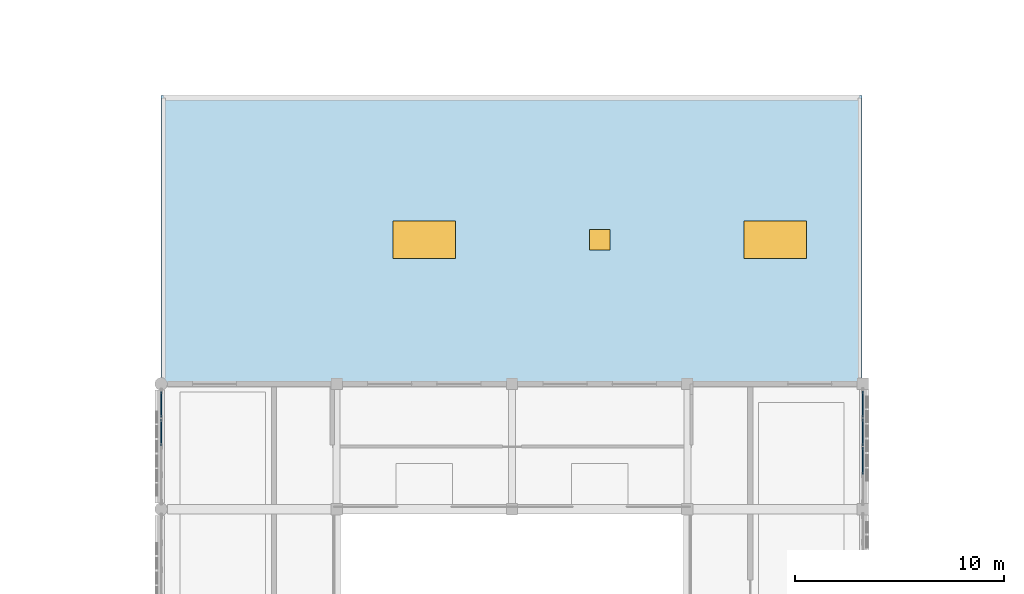
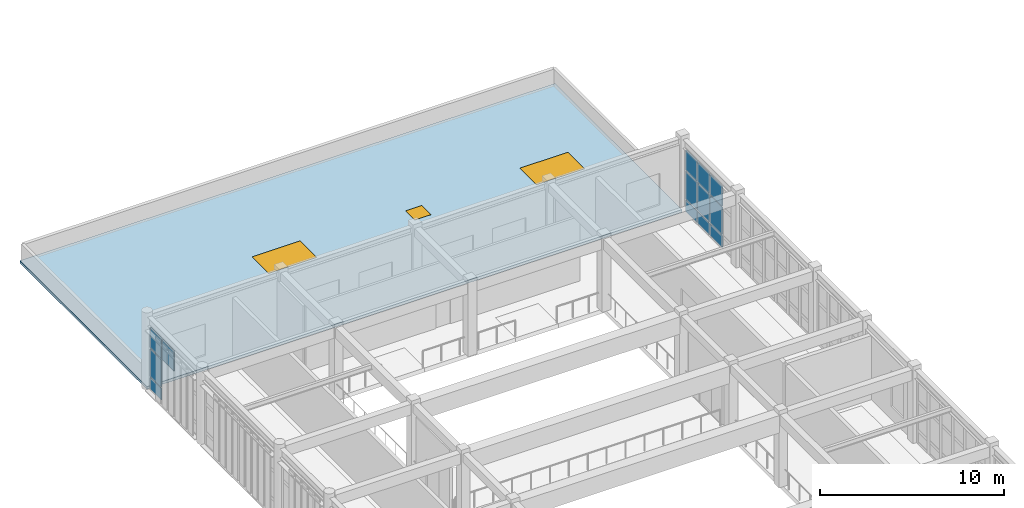
# One storey, part 49 of 77: 13 plates, 2 windows, 1 door, 1 slab, 3 openings, 2 elements without a shape of their own.
"""IFC4 building model written with IfcOpenShell, lengths in metres."""

from ifc_helpers import new_model, si_unit, direction, frame, origin, origin_2d, place, context, subcontext, project, spatial, polyline, rectangle, outline, extrude, material, layer, layer_set, type_object, element, fill, aggregate, save


model = new_model("IFC4")

# Units and contexts
model_context = context("Model", 3, precision=1e-05, world=origin(), true_north=direction((0.0, 1.0)))
body_context = subcontext(model_context, "Body", "Model", "MODEL_VIEW")
ifc_project = project(units=[si_unit("LENGTHUNIT", "METRE"), si_unit("AREAUNIT", "SQUARE_METRE"), si_unit("VOLUMEUNIT", "CUBIC_METRE"), si_unit("PLANEANGLEUNIT", "RADIAN"), si_unit("MASSUNIT", "GRAM", prefix="KILO")], contexts=[model_context])

# Site, building, storey
site_placement = place(None, origin())
site = spatial("IfcSite", under=ifc_project, at=site_placement, CompositionType="ELEMENT")
building_placement = place(site_placement, origin())
building = spatial("IfcBuilding", under=site, at=building_placement, Name="Krzemoval Escarpment Law Courts", CompositionType="ELEMENT")
storey_placement = place(building_placement, frame((0.0, 0.0, 15.300048828125)))
storey = spatial("IfcBuildingStorey", under=building, at=storey_placement, Name="L03", CompositionType="ELEMENT", Elevation=15.300048828125)

# Curtain wall, plates
ifc_material_1 = material(Name="Aluminium 6063-T6", Category="aluminium")
ifc_layer_1 = layer(ifc_material_1, 0.280029296875)
ifc_layer_set_1 = layer_set([ifc_layer_1], Name="Aluminium 6063-T6")
curtain_wall_type = type_object("IfcCurtainWallType", Name="CW-HALL-5100", PredefinedType="USERDEFINED", material=ifc_layer_set_1)
curtain_wall_1_placement = place(storey_placement, origin())
curtain_wall_1 = element("IfcCurtainWall", 1, at=curtain_wall_1_placement, inside=storey, type_object=curtain_wall_type, Name="Unitised Curtain Wall FCW-L03-104", ObjectType="UNITISED_CURTAIN_WALL", PredefinedType="USERDEFINED")
ifc_material_2 = material(Name="Triple Glazing IGU", Category="glass")
ifc_layer_2 = layer(ifc_material_2, 0.053955078125)
ifc_layer_set_2 = layer_set([ifc_layer_2], Name="Triple Glazing IGU")
plate_type = type_object("IfcPlateType", Name="CWP-GLZ-54", PredefinedType="CURTAIN_PANEL", material=ifc_layer_set_2)
plate_1_placement = place(storey_placement, frame((8.39990234375, 97.27490234375, 2.842529296875), z_axis=(0.0, 0.0, 1.0), x_axis=(0.0, 1.0, 0.0)))
plate_1 = element("IfcPlate", 2, at=plate_1_placement, type_object=plate_type, Name="FCW-L03-104 panel 3.3", PredefinedType="CURTAIN_PANEL", context=body_context, shape_type="SweptSolid", body=[
    extrude(rectangle(XDim=1.264892578125, YDim=0.053955078125, at=origin_2d()), origin(), (0.0, 0.0, 1.0), 1.3125),
])
plate_2_placement = place(storey_placement, frame((8.39990234375, 98.603759765625, 0.0849609375), z_axis=(0.0, 0.0, 1.0), x_axis=(0.0, 1.0, 0.0)))
plate_2 = element("IfcPlate", 3, at=plate_2_placement, type_object=plate_type, Name="FCW-L03-104 panel 4.1", PredefinedType="CURTAIN_PANEL", context=body_context, shape_type="SweptSolid", body=[
    extrude(rectangle(XDim=1.222412109375, YDim=0.053955078125, at=origin_2d()), origin(), (0.0, 0.0, 1.0), 0.7724609375),
])
plate_3_placement = place(storey_placement, frame((8.39990234375, 98.603759765625, 0.9423828125), z_axis=(0.0, 0.0, 1.0), x_axis=(0.0, 1.0, 0.0)))
plate_3 = element("IfcPlate", 4, at=plate_3_placement, type_object=plate_type, Name="FCW-L03-104 panel 4.2", PredefinedType="CURTAIN_PANEL", context=body_context, shape_type="SweptSolid", body=[
    extrude(rectangle(XDim=1.222412109375, YDim=0.053955078125, at=origin_2d()), origin(), (0.0, 0.0, 1.0), 1.81494140625),
])
plate_4_placement = place(storey_placement, frame((8.39990234375, 98.603759765625, 2.842529296875), z_axis=(0.0, 0.0, 1.0), x_axis=(0.0, 1.0, 0.0)))
plate_4 = element("IfcPlate", 5, at=plate_4_placement, type_object=plate_type, Name="FCW-L03-104 panel 4.3", PredefinedType="CURTAIN_PANEL", context=body_context, shape_type="SweptSolid", body=[
    extrude(rectangle(XDim=1.222412109375, YDim=0.053955078125, at=origin_2d()), origin(), (0.0, 0.0, 1.0), 1.3125),
])
aggregate(curtain_wall_1, [plate_1, plate_2, plate_3, plate_4])

curtain_wall_2_placement = place(storey_placement, origin())
curtain_wall_2 = element("IfcCurtainWall", 6, at=curtain_wall_2_placement, inside=storey, type_object=curtain_wall_type, Name="Unitised Curtain Wall FCW-L03-105", ObjectType="UNITISED_CURTAIN_WALL", PredefinedType="USERDEFINED")
plate_5_placement = place(storey_placement, frame((42.0, 98.62255859375, 0.0849609375), z_axis=(0.0, 0.0, 1.0), x_axis=(0.0, -1.0, 0.0)))
plate_5 = element("IfcPlate", 7, at=plate_5_placement, type_object=plate_type, Name="FCW-L03-105 panel 1.1", PredefinedType="CURTAIN_PANEL", context=body_context, shape_type="SweptSolid", body=[
    extrude(rectangle(XDim=1.235107421875, YDim=0.053955078125, at=origin_2d()), origin(), (0.0, 0.0, 1.0), 0.7724609375),
])
plate_6_placement = place(storey_placement, frame((42.0, 98.62255859375, 0.9423828125), z_axis=(0.0, 0.0, 1.0), x_axis=(0.0, -1.0, 0.0)))
plate_6 = element("IfcPlate", 8, at=plate_6_placement, type_object=plate_type, Name="FCW-L03-105 panel 1.2", PredefinedType="CURTAIN_PANEL", context=body_context, shape_type="SweptSolid", body=[
    extrude(rectangle(XDim=1.235107421875, YDim=0.053955078125, at=origin_2d()), origin(), (0.0, 0.0, 1.0), 1.81494140625),
])
plate_7_placement = place(storey_placement, frame((42.0, 98.62255859375, 2.842529296875), z_axis=(0.0, 0.0, 1.0), x_axis=(0.0, -1.0, 0.0)))
plate_7 = element("IfcPlate", 9, at=plate_7_placement, type_object=plate_type, Name="FCW-L03-105 panel 1.3", PredefinedType="CURTAIN_PANEL", context=body_context, shape_type="SweptSolid", body=[
    extrude(rectangle(XDim=1.235107421875, YDim=0.053955078125, at=origin_2d()), origin(), (0.0, 0.0, 1.0), 1.3125),
])
plate_8_placement = place(storey_placement, frame((42.0, 97.28125, 0.0849609375), z_axis=(0.0, 0.0, 1.0), x_axis=(0.0, -1.0, 0.0)))
plate_8 = element("IfcPlate", 10, at=plate_8_placement, type_object=plate_type, Name="FCW-L03-105 panel 2.1", PredefinedType="CURTAIN_PANEL", context=body_context, shape_type="SweptSolid", body=[
    extrude(rectangle(XDim=1.277587890625, YDim=0.053955078125, at=origin_2d()), origin(), (0.0, 0.0, 1.0), 0.7724609375),
])
plate_9_placement = place(storey_placement, frame((42.0, 97.28125, 0.9423828125), z_axis=(0.0, 0.0, 1.0), x_axis=(0.0, -1.0, 0.0)))
plate_9 = element("IfcPlate", 11, at=plate_9_placement, type_object=plate_type, Name="FCW-L03-105 panel 2.2", PredefinedType="CURTAIN_PANEL", context=body_context, shape_type="SweptSolid", body=[
    extrude(rectangle(XDim=1.277587890625, YDim=0.053955078125, at=origin_2d()), origin(), (0.0, 0.0, 1.0), 1.81494140625),
])
plate_10_placement = place(storey_placement, frame((42.0, 97.28125, 2.842529296875), z_axis=(0.0, 0.0, 1.0), x_axis=(0.0, -1.0, 0.0)))
plate_10 = element("IfcPlate", 12, at=plate_10_placement, type_object=plate_type, Name="FCW-L03-105 panel 2.3", PredefinedType="CURTAIN_PANEL", context=body_context, shape_type="SweptSolid", body=[
    extrude(rectangle(XDim=1.277587890625, YDim=0.053955078125, at=origin_2d()), origin(), (0.0, 0.0, 1.0), 1.3125),
])
plate_11_placement = place(storey_placement, frame((42.0, 95.918701171875, 0.0849609375), z_axis=(0.0, 0.0, 1.0), x_axis=(0.0, -1.0, 0.0)))
plate_11 = element("IfcPlate", 13, at=plate_11_placement, type_object=plate_type, Name="FCW-L03-105 panel 3.1", PredefinedType="CURTAIN_PANEL", context=body_context, shape_type="SweptSolid", body=[
    extrude(rectangle(XDim=1.277587890625, YDim=0.053955078125, at=origin_2d()), origin(), (0.0, 0.0, 1.0), 0.7724609375),
])
plate_12_placement = place(storey_placement, frame((42.0, 95.918701171875, 0.9423828125), z_axis=(0.0, 0.0, 1.0), x_axis=(0.0, -1.0, 0.0)))
plate_12 = element("IfcPlate", 14, at=plate_12_placement, type_object=plate_type, Name="FCW-L03-105 panel 3.2", PredefinedType="CURTAIN_PANEL", context=body_context, shape_type="SweptSolid", body=[
    extrude(rectangle(XDim=1.277587890625, YDim=0.053955078125, at=origin_2d()), origin(), (0.0, 0.0, 1.0), 1.81494140625),
])
plate_13_placement = place(storey_placement, frame((42.0, 95.918701171875, 2.842529296875), z_axis=(0.0, 0.0, 1.0), x_axis=(0.0, -1.0, 0.0)))
plate_13 = element("IfcPlate", 15, at=plate_13_placement, type_object=plate_type, Name="FCW-L03-105 panel 3.3", PredefinedType="CURTAIN_PANEL", context=body_context, shape_type="SweptSolid", body=[
    extrude(rectangle(XDim=1.277587890625, YDim=0.053955078125, at=origin_2d()), origin(), (0.0, 0.0, 1.0), 1.3125),
])
aggregate(curtain_wall_2, [plate_5, plate_6, plate_7, plate_8, plate_9, plate_10, plate_11, plate_12, plate_13])

# Slab, openings, door, windows
ifc_material_3 = material(Name="Concrete C40/50", Category="concrete")
ifc_layer_3 = layer(ifc_material_3, 0.179931640625)
ifc_layer_set_3 = layer_set([ifc_layer_3], Name="Concrete C40/50")
slab_type = type_object("IfcSlabType", Name="SL-ROOF-FLAT180", PredefinedType="ROOF", material=ifc_layer_set_3)
slab_placement = place(storey_placement, frame((0.0, 0.0, -0.179931640625)))
slab = element("IfcSlab", 16, at=slab_placement, inside=storey, type_object=slab_type, Name="Flat Roof Slab ROOF-V4N-L03", PredefinedType="ROOF", context=body_context, shape_type="SweptSolid", body=[
    extrude(outline(polyline([(41.9599609375, 99.60009765625), (8.39990234375, 99.60009765625), (8.39990234375, 113.39990234375), (41.9599609375, 113.39990234375), (41.9599609375, 99.60009765625)])), origin(), (0.0, 0.0, 1.0), 0.179931640625),
])
opening_1_placement = place(slab_placement, frame((21.0, 106.5, 0.0)))
opening_1 = element("IfcOpeningElement", 17, at=opening_1_placement, cuts=slab, Name="Opening SK-04", PredefinedType="OPENING", context=body_context, shape_type="SweptSolid", body=[
    extrude(rectangle(XDim=3.0, YDim=1.800048828125, at=origin_2d()), frame((0.0, 0.0, -0.015)), (0.0, 0.0, 1.0), 0.20993),
])
opening_2_placement = place(slab_placement, frame((37.800048828125, 106.5, 0.0)))
opening_2 = element("IfcOpeningElement", 18, at=opening_2_placement, cuts=slab, Name="Opening SK-05", PredefinedType="OPENING", context=body_context, shape_type="SweptSolid", body=[
    extrude(rectangle(XDim=3.0, YDim=1.800048828125, at=origin_2d()), frame((0.0, 0.0, -0.015)), (0.0, 0.0, 1.0), 0.20993),
])
opening_3_placement = place(slab_placement, frame((29.39990234375, 106.5, 0.0)))
opening_3 = element("IfcOpeningElement", 19, at=opening_3_placement, cuts=slab, Name="Opening HT-05", PredefinedType="OPENING", context=body_context, shape_type="SweptSolid", body=[
    extrude(rectangle(XDim=1.0, YDim=1.0, at=origin_2d()), frame((0.0, 0.0, -0.015)), (0.0, 0.0, 1.0), 0.20993),
])
ifc_material_4 = material(Name="Thermally Broken Aluminium and Laminated Safety Glass", Category="aluminium")
door_type = type_object("IfcDoorType", Name="DR-HT-1000x1000", OperationType="SINGLE_SWING_LEFT", PredefinedType="TRAPDOOR", material=ifc_material_4)
door_placement = place(opening_3_placement, frame((0.0, 0.0, 0.1298828125)))
door = element("IfcDoor", 20, at=door_placement, inside=storey, type_object=door_type, Name="Roof Access Hatch HT-05", OperationType="SINGLE_SWING_LEFT", OverallHeight=1.0, OverallWidth=1.0, PredefinedType="TRAPDOOR", context=body_context, shape_type="SweptSolid", body=[
    extrude(rectangle(XDim=1.0, YDim=1.0, at=origin_2d()), origin(), (0.0, 0.0, 1.0), 0.050048828125),
])
fill(opening_3, door)
ifc_material_5 = material(Name="Thermally Broken Aluminium Frame with Triple Low-E Acoustic Glass", Category="aluminium")
window_type = type_object("IfcWindowType", Name="WN-SKY-3000x1800", PartitioningType="SINGLE_PANEL", PredefinedType="SKYLIGHT", material=ifc_material_5)
window_1_placement = place(opening_1_placement, frame((0.0, 0.0, 0.1298828125)))
window_1 = element("IfcWindow", 21, at=window_1_placement, inside=storey, type_object=window_type, Name="Roof Skylight SK-04", OverallHeight=1.800048828125, OverallWidth=3.0, PartitioningType="SINGLE_PANEL", PredefinedType="SKYLIGHT", context=body_context, shape_type="SweptSolid", body=[
    extrude(rectangle(XDim=3.0, YDim=1.800048828125, at=origin_2d()), origin(), (0.0, 0.0, 1.0), 0.050048828125),
])
fill(opening_1, window_1)
window_2_placement = place(opening_2_placement, frame((0.0, 0.0, 0.1298828125)))
window_2 = element("IfcWindow", 22, at=window_2_placement, inside=storey, type_object=window_type, Name="Roof Skylight SK-05", OverallHeight=1.800048828125, OverallWidth=3.0, PartitioningType="SINGLE_PANEL", PredefinedType="SKYLIGHT", context=body_context, shape_type="SweptSolid", body=[
    extrude(rectangle(XDim=3.0, YDim=1.800048828125, at=origin_2d()), origin(), (0.0, 0.0, 1.0), 0.050048828125),
])
fill(opening_2, window_2)

save(model, "model.ifc")
